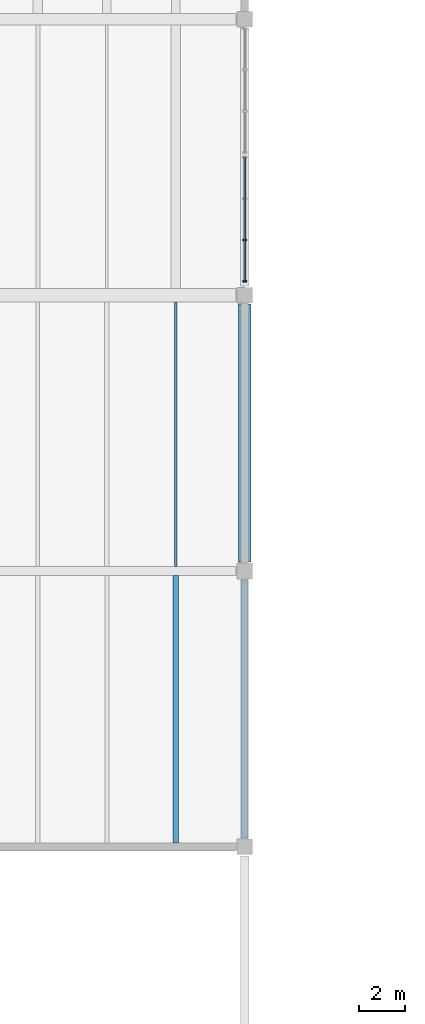
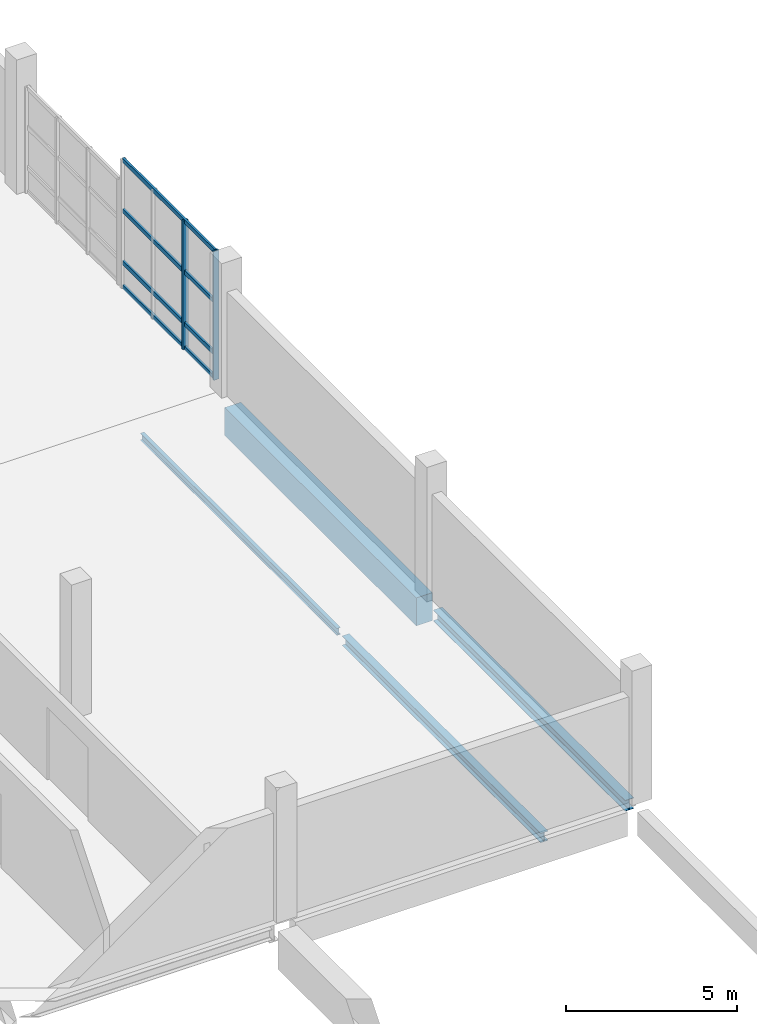
# One storey, part 6 of 49: 6 members, 4 beams, 1 element without a shape of its own.
"""IFC4 building model written with IfcOpenShell, lengths in metres."""

import ifcopenshell
import ifcopenshell.guid

model = None  # the IFC model being written
_history = None  # IfcOwnerHistory: only IFC2X3 demands one
_inside = {}  # id of a spatial element -> (the spatial element, [elements in it])
_under = {}  # id of a project, library or spatial element -> (it, [spatial elements below it])
_declared = {}  # id of a project -> (the project, [libraries it declares])
_typed = {}  # id of a type object -> (the type object, [elements of that type])
_made_of = {}  # id of a material, layer set ... -> (it, [elements and type objects made of it])


def new_model(schema):
    """Start an empty IFC model of exactly this schema.

    Asked for "IFC4X3", IfcOpenShell would pick the latest addendum, in which some entities
    have other attributes; the version numbers below select the first issue.
    IFC2X3 requires an IfcOwnerHistory on every rooted entity: one is made here for all.
    """
    global model, _history
    if schema == "IFC4X3":
        model = ifcopenshell.file(schema_version=(4, 3, 0, 0))
    else:
        model = ifcopenshell.file(schema=schema)
    _inside.clear()
    _under.clear()
    _declared.clear()
    _typed.clear()
    _made_of.clear()
    _history = None
    if model.schema == "IFC2X3":
        org = make("IfcOrganization", Name="unknown")
        user = make(
            "IfcPersonAndOrganization",
            ThePerson=make("IfcPerson", FamilyName="unknown"),
            TheOrganization=org,
        )
        app = make(
            "IfcApplication",
            ApplicationDeveloper=org,
            Version="unknown",
            ApplicationFullName="unknown",
            ApplicationIdentifier="unknown",
        )
        _history = make(
            "IfcOwnerHistory",
            OwningUser=user,
            OwningApplication=app,
            ChangeAction="ADDED",
            CreationDate=0,
        )
    return model


def make(cls, **values):
    """One entity of the class cls with the attributes given. An attribute that is None is left unset."""
    return model.create_entity(
        cls, **{name: value for name, value in values.items() if value is not None}
    )


def rooted(cls, **values):
    """An entity with a GlobalId (a new one), such as an element, a storey or a relation."""
    return make(cls, GlobalId=ifcopenshell.guid.new(), OwnerHistory=_history, **values)


def si_unit(unit_type, name, prefix=None):
    """IfcSIUnit, for example si_unit("LENGTHUNIT", "METRE", prefix="MILLI")."""
    return make("IfcSIUnit", UnitType=unit_type, Prefix=prefix, Name=name)


def assignment(units):
    """IfcUnitAssignment: the units of a project."""
    return None if units is None else make("IfcUnitAssignment", Units=units)


def point(xyz):
    """IfcCartesianPoint."""
    return None if xyz is None else make("IfcCartesianPoint", Coordinates=xyz)


def direction(xyz):
    """IfcDirection."""
    return None if xyz is None else make("IfcDirection", DirectionRatios=xyz)


def frame(location, z_axis=None, x_axis=None):
    """IfcAxis2Placement3D, a coordinate frame: its origin and axes. An axis left out is left unset."""
    return make(
        "IfcAxis2Placement3D",
        Location=point(location),
        Axis=direction(z_axis),
        RefDirection=direction(x_axis),
    )


def frame_2d(location, x_axis=None):
    """IfcAxis2Placement2D, a coordinate frame in the plane: its origin and x axis."""
    return make(
        "IfcAxis2Placement2D", Location=point(location), RefDirection=direction(x_axis)
    )


def origin():
    """The frame at (0, 0, 0) with its axes left unset."""
    return frame((0.0, 0.0, 0.0))


def origin_2d():
    """The frame at (0, 0) in the plane with its x axis left unset."""
    return frame_2d((0.0, 0.0))


def place(relative_to, where):
    """IfcLocalPlacement: puts the frame where relative to a parent placement (None: the world)."""
    return make(
        "IfcLocalPlacement", PlacementRelTo=relative_to, RelativePlacement=where
    )


def context(
    kind, dimensions, precision=None, world=None, true_north=None, identifier=None
):
    """IfcGeometricRepresentationContext, for example the 3D "Model" context."""
    return make(
        "IfcGeometricRepresentationContext",
        ContextIdentifier=identifier,
        ContextType=kind,
        CoordinateSpaceDimension=dimensions,
        Precision=precision,
        WorldCoordinateSystem=world,
        TrueNorth=true_north,
    )


def subcontext(parent, identifier, kind, view, scale=None):
    """IfcGeometricRepresentationSubContext, for example "Body" below "Model"."""
    return make(
        "IfcGeometricRepresentationSubContext",
        ContextIdentifier=identifier,
        ContextType=kind,
        ParentContext=parent,
        TargetScale=scale,
        TargetView=view,
    )


def project(units=None, contexts=None):
    """IfcProject with its units and contexts."""
    return rooted(
        "IfcProject",
        Name="project",
        RepresentationContexts=contexts,
        UnitsInContext=assignment(units),
    )


def spatial(cls, under=None, at=None, **own):
    """A site, building, storey or space (cls), placed at a placement, below another one or the project."""
    s = rooted(cls, ObjectPlacement=at, **own)
    if under is not None:
        _under.setdefault(under.id(), (under, []))[1].append(s)
    return s


def profile(cls, at=None, kind="AREA", **sizes):
    """A parametric profile (cls). Its sizes go by their IFC names, for example OverallWidth=200.0."""
    return make(cls, ProfileType=kind, Position=at, **sizes)


def rectangle(**sizes):
    """IfcRectangleProfileDef."""
    return profile("IfcRectangleProfileDef", **sizes)


def i_section(**sizes):
    """IfcIShapeProfileDef."""
    return profile("IfcIShapeProfileDef", **sizes)


def extrude(swept, where, along, depth):
    """IfcExtrudedAreaSolid: the profile swept, set in the frame where, extruded along a direction by depth."""
    return make(
        "IfcExtrudedAreaSolid",
        SweptArea=swept,
        Position=where,
        ExtrudedDirection=direction(along),
        Depth=depth,
    )


def shape(context_of_items, identifier, shape_type, items):
    """IfcShapeRepresentation: the items that make up one representation, for example the "Body"."""
    return make(
        "IfcShapeRepresentation",
        ContextOfItems=context_of_items,
        RepresentationIdentifier=identifier,
        RepresentationType=shape_type,
        Items=items,
    )


def material(Name=None, Category=None):
    """IfcMaterial."""
    return make("IfcMaterial", Name=Name, Category=Category)


def material_profile(
    of_material, cross_section, Name=None, Category=None, Priority=None
):
    """IfcMaterialProfile: a cross section and its material."""
    return make(
        "IfcMaterialProfile",
        Name=Name,
        Material=of_material,
        Profile=cross_section,
        Priority=Priority,
        Category=Category,
    )


def profile_set(profiles, Name=None, composite=None):
    """IfcMaterialProfileSet."""
    return make(
        "IfcMaterialProfileSet",
        Name=Name,
        MaterialProfiles=profiles,
        CompositeProfile=composite,
    )


def made_of(thing, what):
    """Note that an element or type object is made of a material, layer set ...; save() writes the relation."""
    if what is not None:
        _made_of.setdefault(what.id(), (what, []))[1].append(thing)
    return thing


def type_object(cls, material=None, **own):
    """A type object (cls), such as IfcWallType, which elements share."""
    return made_of(rooted(cls, **own), material)


def element(
    cls,
    number,
    at=None,
    inside=None,
    cuts=None,
    type_object=None,
    material=None,
    context=None,
    identifier="Body",
    shape_type=None,
    held_by="IfcProductDefinitionShape",
    body=None,
    shapes=None,
    **own,
):
    """One element of the class cls, such as IfcWall. Its Tag is "e" and its number.

    at: its placement. inside: the storey or other place that contains it. cuts: it is an
    opening in that element (IfcRelVoidsElement). A single representation is given by context,
    identifier, shape_type and body (its items); several are given by shapes. held_by: the class
    of the entity that holds the representations. save() writes the other relations.
    """
    e = rooted(cls, Tag="e%d" % number, ObjectPlacement=at, **own)
    if body is not None:
        shapes = [shape(context, identifier, shape_type, body)]
    if shapes is not None:
        e.Representation = make(held_by, Representations=shapes)
    if inside is not None:
        _inside.setdefault(inside.id(), (inside, []))[1].append(e)
    if cuts is not None:
        rooted(
            "IfcRelVoidsElement", RelatingBuildingElement=cuts, RelatedOpeningElement=e
        )
    if type_object is not None:
        _typed.setdefault(type_object.id(), (type_object, []))[1].append(e)
    return made_of(e, material)


def aggregate(whole, parts):
    """IfcRelAggregates: a whole, such as a stair, and the parts it consists of."""
    return rooted("IfcRelAggregates", RelatingObject=whole, RelatedObjects=parts)


def save(model, path):
    """Write the relations noted so far, then the file.

    IfcRelAggregates (storeys below a building ...), IfcRelContainedInSpatialStructure (elements
    in a storey), IfcRelDefinesByType, IfcRelAssociatesMaterial and IfcRelDeclares: one each for
    every whole, place, type object, material and project.
    """
    for whole, parts in _under.values():
        aggregate(whole, parts)
    for where, things in _inside.values():
        rooted(
            "IfcRelContainedInSpatialStructure",
            RelatedElements=things,
            RelatingStructure=where,
        )
    for kind, things in _typed.values():
        rooted("IfcRelDefinesByType", RelatedObjects=things, RelatingType=kind)
    for what, things in _made_of.values():
        rooted("IfcRelAssociatesMaterial", RelatedObjects=things, RelatingMaterial=what)
    for by, libraries in _declared.values():
        rooted("IfcRelDeclares", RelatingContext=by, RelatedDefinitions=libraries)
    model.write(path)


model = new_model("IFC4")

# Units and contexts
model_context = context("Model", 3, precision=1e-05, world=origin(), true_north=direction((0.0, 1.0)))
body_context = subcontext(model_context, "Body", "Model", "MODEL_VIEW")
ifc_project = project(units=[si_unit("LENGTHUNIT", "METRE"), si_unit("AREAUNIT", "SQUARE_METRE"), si_unit("VOLUMEUNIT", "CUBIC_METRE"), si_unit("PLANEANGLEUNIT", "RADIAN"), si_unit("MASSUNIT", "GRAM", prefix="KILO")], contexts=[model_context])

# Site, building, storey
site_placement = place(None, origin())
site = spatial("IfcSite", under=ifc_project, at=site_placement, CompositionType="ELEMENT")
building_placement = place(site_placement, origin())
building = spatial("IfcBuilding", under=site, at=building_placement, Name="Kamomehara Wholesale Market", CompositionType="ELEMENT")
storey_placement = place(building_placement, frame((0.0, 0.0, 11.39990234375)))
storey = spatial("IfcBuildingStorey", under=building, at=storey_placement, Name="L02", CompositionType="ELEMENT", Elevation=11.39990234375)

# Beams
ifc_material_1 = material(Name="Concrete Fc36 (C35/45)", Category="concrete")
ifc_material_profile_1 = material_profile(ifc_material_1, rectangle(XDim=0.550048828125, YDim=1.0, at=origin_2d()), Name="RC-SEB-550x1000")
ifc_profile_set_1 = profile_set([ifc_material_profile_1], Name="Concrete Fc36 (C35/45)")
beam_type_1 = type_object("IfcBeamType", Name="BM-SEB1000-EXT", PredefinedType="SPANDREL", material=ifc_profile_set_1)
beam_1_placement = place(storey_placement, frame((36.0, 60.389892578125, -0.822021484375), z_axis=(0.0, 1.0, 0.0), x_axis=(-1.0, 0.0, 0.0)))
element("IfcBeam", 1, at=beam_1_placement, inside=storey, type_object=beam_type_1, Name="Beam SEB-03E L02", PredefinedType="SPANDREL", context=body_context, shape_type="SweptSolid", body=[
    extrude(rectangle(XDim=0.550048828125, YDim=1.0, at=origin_2d()), origin(), (0.0, 0.0, 1.0), 11.22021484375),
])
ifc_material_2 = material(Name="Steel SN400B", Category="steel")
ifc_material_profile_2 = material_profile(ifc_material_2, i_section(OverallWidth=0.125, OverallDepth=0.25, WebThickness=0.006103515625, FlangeThickness=0.009033203125, FilletRadius=0.008056640625, at=origin_2d()), Name="H-250x125x6x9")
ifc_profile_set_2 = profile_set([ifc_material_profile_2], Name="Steel SN400B")
beam_type_2 = type_object("IfcBeamType", Name="BM-ST-H250", PredefinedType="JOIST", material=ifc_profile_set_2)
beam_2_placement = place(storey_placement, frame((33.0, 60.199951171875, -0.447021484375), z_axis=(0.0, 1.0, 0.0), x_axis=(-1.0, 0.0, 0.0)))
element("IfcBeam", 2, at=beam_2_placement, inside=storey, type_object=beam_type_2, Name="Beam SJ-06 L02", PredefinedType="JOIST", context=body_context, shape_type="SweptSolid", body=[
    extrude(i_section(OverallWidth=0.125, OverallDepth=0.25, WebThickness=0.006103515625, FlangeThickness=0.009033203125, FilletRadius=0.008056640625, at=origin_2d()), origin(), (0.0, 0.0, 1.0), 11.510009765625),
])
ifc_material_3 = material(Name="Steel SN490B", Category="steel")
ifc_material_profile_3 = material_profile(ifc_material_3, i_section(OverallWidth=0.25, OverallDepth=0.340087890625, WebThickness=0.009033203125, FlangeThickness=0.013916015625, FilletRadius=0.012939453125, at=origin_2d()), Name="H-340x250x9x14")
ifc_profile_set_3 = profile_set([ifc_material_profile_3], Name="Steel SN490B")
beam_type_3 = type_object("IfcBeamType", Name="BM-ST-H340", PredefinedType="JOIST", material=ifc_profile_set_3)
beam_3_placement = place(storey_placement, frame((33.0, 48.175048828125, -0.491943359375), z_axis=(0.0, 1.0, 0.0), x_axis=(-1.0, 0.0, 0.0)))
element("IfcBeam", 3, at=beam_3_placement, inside=storey, type_object=beam_type_3, Name="Beam SJ-08 L02", PredefinedType="JOIST", context=body_context, shape_type="SweptSolid", body=[
    extrude(i_section(OverallWidth=0.25, OverallDepth=0.340087890625, WebThickness=0.009033203125, FlangeThickness=0.013916015625, FilletRadius=0.012939453125, at=origin_2d()), origin(), (0.0, 0.0, 1.0), 11.625),
])
ifc_material_4 = material(Name="Steel SN490B", Category="steel")
ifc_material_profile_4 = material_profile(ifc_material_4, i_section(OverallWidth=0.300048828125, OverallDepth=0.389892578125, WebThickness=0.010009765625, FlangeThickness=0.01611328125, FilletRadius=0.01806640625, at=origin_2d()), Name="H-390x300x10x16")
ifc_profile_set_4 = profile_set([ifc_material_profile_4], Name="Steel SN490B")
beam_type_4 = type_object("IfcBeamType", Name="BM-ST-H390-EXT", PredefinedType="SPANDREL", material=ifc_profile_set_4)
beam_4_placement = place(storey_placement, frame((36.0, 48.389892578125, -0.516845703125), z_axis=(0.0, 1.0, 0.0), x_axis=(-1.0, 0.0, 0.0)))
element("IfcBeam", 4, at=beam_4_placement, inside=storey, type_object=beam_type_4, Name="Beam SJ-03E L02", PredefinedType="SPANDREL", context=body_context, shape_type="SweptSolid", body=[
    extrude(i_section(OverallWidth=0.300048828125, OverallDepth=0.389892578125, WebThickness=0.010009765625, FlangeThickness=0.01611328125, FilletRadius=0.01806640625, at=origin_2d()), origin(), (0.0, 0.0, 1.0), 11.22021484375),
])

# Curtain wall, members
ifc_material_5 = material(Name="Anodised aluminium 6063-T5", Category="aluminium")
curtain_wall_type = type_object("IfcCurtainWallType", Name="CW-UN-07", PredefinedType="NOTDEFINED", material=ifc_material_5)
curtain_wall_placement = place(storey_placement, origin())
curtain_wall = element("IfcCurtainWall", 5, at=curtain_wall_placement, inside=storey, type_object=curtain_wall_type, Name="Unitised curtain wall CW-010", PredefinedType="NOTDEFINED")
ifc_material_6 = material(Name="Anodised aluminium 6063-T5", Category="aluminium")
ifc_material_profile_5 = material_profile(ifc_material_6, rectangle(XDim=0.074951171875, YDim=0.179931640625, at=origin_2d()), Name="ALU-MUL-75x180")
ifc_profile_set_5 = profile_set([ifc_material_profile_5], Name="Anodised aluminium 6063-T5")
member_type_1 = type_object("IfcMemberType", Name="CW-MUL-180", PredefinedType="MULLION", material=ifc_profile_set_5)
member_1_placement = place(storey_placement, frame((36.0, 74.39990234375, 0.0), z_axis=(0.0, 0.0, 1.0), x_axis=(0.0, -1.0, 0.0)))
member_1 = element("IfcMember", 6, at=member_1_placement, type_object=member_type_1, Name="Mullion CW-010.2", PredefinedType="MULLION", context=body_context, shape_type="SweptSolid", body=[
    extrude(rectangle(XDim=0.074951171875, YDim=0.179931640625, at=origin_2d()), origin(), (0.0, 0.0, 1.0), 4.60009765625),
])
member_2_placement = place(storey_placement, frame((36.0, 72.60009765625, 0.0), z_axis=(0.0, 0.0, 1.0), x_axis=(0.0, -1.0, 0.0)))
member_2 = element("IfcMember", 7, at=member_2_placement, type_object=member_type_1, Name="Mullion CW-010.3", PredefinedType="MULLION", context=body_context, shape_type="SweptSolid", body=[
    extrude(rectangle(XDim=0.074951171875, YDim=0.179931640625, at=origin_2d()), origin(), (0.0, 0.0, 1.0), 4.60009765625),
])
ifc_material_7 = material(Name="Anodised aluminium 6063-T5", Category="aluminium")
ifc_material_profile_6 = material_profile(ifc_material_7, rectangle(XDim=0.074951171875, YDim=0.14990234375, at=origin_2d()), Name="ALU-TRN-75x150")
ifc_profile_set_6 = profile_set([ifc_material_profile_6], Name="Anodised aluminium 6063-T5")
member_type_2 = type_object("IfcMemberType", Name="CW-TRN-150", PredefinedType="USERDEFINED", material=ifc_profile_set_6)
member_3_placement = place(storey_placement, frame((36.0, 78.0, 0.0400390625), z_axis=(0.0, -1.0, 0.0), x_axis=(1.0, 0.0, 0.0)))
member_3 = element("IfcMember", 8, at=member_3_placement, type_object=member_type_2, Name="Transom CW-010.0", ObjectType="TRANSOM", PredefinedType="USERDEFINED", context=body_context, shape_type="SweptSolid", body=[
    extrude(rectangle(XDim=0.074951171875, YDim=0.14990234375, at=origin_2d()), origin(), (0.0, 0.0, 1.0), 5.39990234375),
])
member_4_placement = place(storey_placement, frame((36.0, 78.0, 0.900146484375), z_axis=(0.0, -1.0, 0.0), x_axis=(1.0, 0.0, 0.0)))
member_4 = element("IfcMember", 9, at=member_4_placement, type_object=member_type_2, Name="Transom CW-010.1", ObjectType="TRANSOM", PredefinedType="USERDEFINED", context=body_context, shape_type="SweptSolid", body=[
    extrude(rectangle(XDim=0.074951171875, YDim=0.14990234375, at=origin_2d()), origin(), (0.0, 0.0, 1.0), 5.39990234375),
])
member_5_placement = place(storey_placement, frame((36.0, 78.0, 2.75), z_axis=(0.0, -1.0, 0.0), x_axis=(1.0, 0.0, 0.0)))
member_5 = element("IfcMember", 10, at=member_5_placement, type_object=member_type_2, Name="Transom CW-010.2", ObjectType="TRANSOM", PredefinedType="USERDEFINED", context=body_context, shape_type="SweptSolid", body=[
    extrude(rectangle(XDim=0.074951171875, YDim=0.14990234375, at=origin_2d()), origin(), (0.0, 0.0, 1.0), 5.39990234375),
])
member_6_placement = place(storey_placement, frame((36.0, 78.0, 4.56005859375), z_axis=(0.0, -1.0, 0.0), x_axis=(1.0, 0.0, 0.0)))
member_6 = element("IfcMember", 11, at=member_6_placement, type_object=member_type_2, Name="Transom CW-010.3", ObjectType="TRANSOM", PredefinedType="USERDEFINED", context=body_context, shape_type="SweptSolid", body=[
    extrude(rectangle(XDim=0.074951171875, YDim=0.14990234375, at=origin_2d()), origin(), (0.0, 0.0, 1.0), 5.39990234375),
])
aggregate(curtain_wall, [member_1, member_2, member_3, member_4, member_5, member_6])

save(model, "model.ifc")
